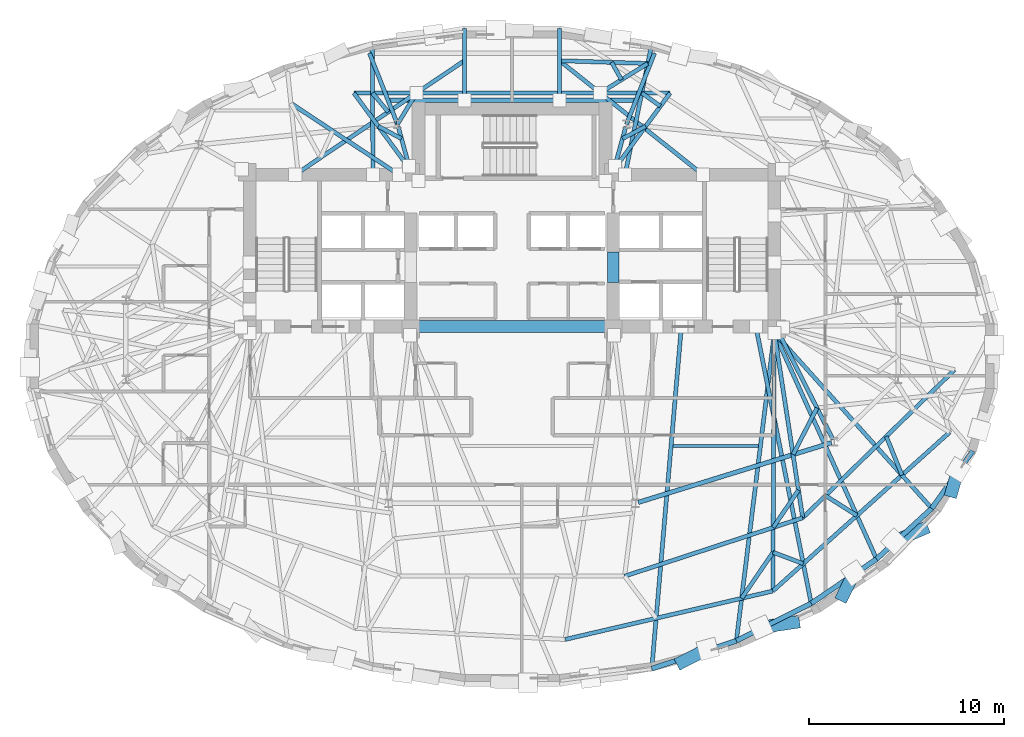
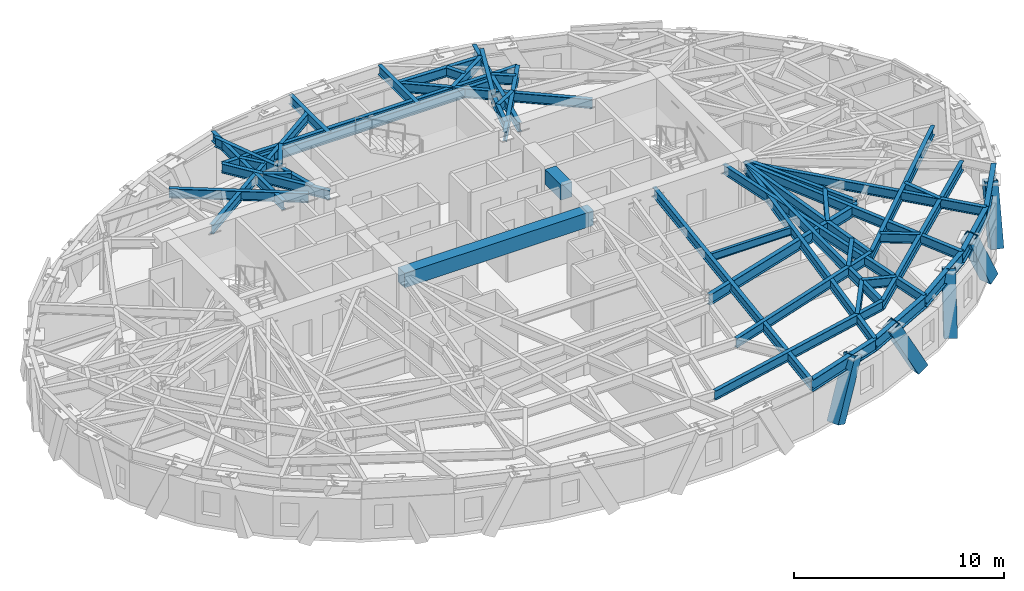
# One storey, part 3 of 14: 50 beams, 5 members.
"""IFC4 building model written with IfcOpenShell, lengths in metres."""

from ifc_helpers import new_model, si_unit, direction, frame, origin, origin_2d, place, context, subcontext, project, spatial, rectangle, hollow_rectangle, i_section, extrude, material, material_profile, profile_set, type_object, element, save


model = new_model("IFC4")

# Units and contexts
model_context = context("Model", 3, precision=1e-05, world=origin(), true_north=direction((0.0, 1.0)))
body_context = subcontext(model_context, "Body", "Model", "MODEL_VIEW")
ifc_project = project(units=[si_unit("LENGTHUNIT", "METRE"), si_unit("AREAUNIT", "SQUARE_METRE"), si_unit("VOLUMEUNIT", "CUBIC_METRE"), si_unit("PLANEANGLEUNIT", "RADIAN"), si_unit("MASSUNIT", "GRAM", prefix="KILO")], contexts=[model_context])

# Site, building, storey
site_placement = place(None, origin())
site = spatial("IfcSite", under=ifc_project, at=site_placement, CompositionType="ELEMENT")
building_placement = place(site_placement, origin())
building = spatial("IfcBuilding", under=site, at=building_placement, Name="Keldmark Tower", CompositionType="ELEMENT")
storey_placement = place(building_placement, frame((0.0, 0.0, 169.39990234375)))
storey = spatial("IfcBuildingStorey", under=building, at=storey_placement, Name="L46", CompositionType="ELEMENT", Elevation=169.39990234375)

# Beams
ifc_material_1 = material(Name="Steel ASTM A992 Grade 50", Category="steel")
ifc_material_profile_1 = material_profile(ifc_material_1, i_section(OverallWidth=0.153076171875, OverallDepth=0.455078125, WebThickness=0.008056640625, FlangeThickness=0.01318359375, at=origin_2d()), Name="W18X40")
ifc_profile_set_1 = profile_set([ifc_material_profile_1], Name="Steel ASTM A992 Grade 50")
beam_type_1 = type_object("IfcBeamType", Name="Composite Floor Joist W18X40", PredefinedType="JOIST", material=ifc_profile_set_1)
beam_1_placement = place(storey_placement, frame((8.26611328125, -4.60009765625, 2.79248046875), z_axis=(1.0, 0.0, 0.0), x_axis=(0.0, 1.0, 0.0)))
element("IfcBeam", 1, at=beam_1_placement, inside=storey, type_object=beam_type_1, Name="L46 Composite Floor Joist J04", PredefinedType="JOIST", context=body_context, shape_type="SweptSolid", body=[
    extrude(i_section(OverallWidth=0.153076171875, OverallDepth=0.455078125, WebThickness=0.008056640625, FlangeThickness=0.01318359375, at=origin_2d()), origin(), (0.0, 0.0, 1.0), 4.396484375),
])
ifc_material_2 = material(Name="Concrete C50/60", Category="concrete")
ifc_material_profile_2 = material_profile(ifc_material_2, rectangle(XDim=0.60009765625, YDim=0.85009765625, at=origin_2d()), Name="RCB600X850")
ifc_profile_set_2 = profile_set([ifc_material_profile_2], Name="Concrete C50/60")
beam_type_2 = type_object("IfcBeamType", Name="Core Coupling Beam RCB600X850", PredefinedType="USERDEFINED", material=ifc_profile_set_2)
beam_2_placement = place(storey_placement, frame((5.199951171875, 3.800048828125, 2.59521484375), z_axis=(0.0, 1.0, 0.0), x_axis=(-1.0, 0.0, 0.0)))
element("IfcBeam", 2, at=beam_2_placement, inside=storey, type_object=beam_type_2, Name="L46 East Core Coupling Beam", ObjectType="COUPLING BEAM", PredefinedType="USERDEFINED", context=body_context, shape_type="SweptSolid", body=[
    extrude(rectangle(XDim=0.60009765625, YDim=0.85009765625, at=origin_2d()), origin(), (0.0, 0.0, 1.0), 1.550048828125),
])
beam_3_placement = place(storey_placement, frame((-5.199951171875, 1.52490234375, 2.59521484375), z_axis=(1.0, 0.0, 0.0), x_axis=(0.0, 1.0, 0.0)))
element("IfcBeam", 3, at=beam_3_placement, inside=storey, type_object=beam_type_2, Name="L46 Central South Core Coupling Beam", ObjectType="COUPLING BEAM", PredefinedType="USERDEFINED", context=body_context, shape_type="SweptSolid", body=[
    extrude(rectangle(XDim=0.60009765625, YDim=0.85009765625, at=origin_2d()), origin(), (0.0, 0.0, 1.0), 10.39990234375),
])

# Members
ifc_material_3 = material(Name="Steel ASTM A572 Grade 50", Category="steel")
ifc_material_profile_3 = material_profile(ifc_material_3, hollow_rectangle(XDim=0.64990234375, YDim=0.64990234375, WallThickness=0.0400390625, at=origin_2d()), Name="BOX650X650X40")
ifc_profile_set_3 = profile_set([ifc_material_profile_3], Name="Steel ASTM A572 Grade 50")
member_type = type_object("IfcMemberType", Name="Diagrid Zone 3 Brace BOX650X650X40", PredefinedType="BRACE", material=ifc_profile_set_3)
member_1_placement = place(storey_placement, frame((8.7333984375, -15.703125, -0.260009765625), z_axis=(0.379419536926, 0.191807554329, 0.905124674894), x_axis=(-0.451156655293, 0.892444772737, 0.0)))
element("IfcMember", 4, at=member_1_placement, inside=storey, type_object=member_type, Name="L46 Perimeter Diagrid Brace 13B", PredefinedType="BRACE", context=body_context, shape_type="SweptSolid", body=[
    extrude(hollow_rectangle(XDim=0.64990234375, YDim=0.64990234375, WallThickness=0.0400390625, at=origin_2d()), origin(), (0.0, 0.0, 1.0), 3.491455078125),
])
member_2_placement = place(storey_placement, frame((14.484619140625, -13.6708984375, -0.260009765625), z_axis=(-0.474323201213, -0.069629778108, 0.877592841124), x_axis=(0.145241555649, -0.989396225237, 0.0)))
element("IfcMember", 5, at=member_2_placement, inside=storey, type_object=member_type, Name="L46 Perimeter Diagrid Brace 14A", PredefinedType="BRACE", context=body_context, shape_type="SweptSolid", body=[
    extrude(hollow_rectangle(XDim=0.64990234375, YDim=0.64990234375, WallThickness=0.0400390625, at=origin_2d()), origin(), (0.0, 0.0, 1.0), 3.600830078125),
])
member_3_placement = place(storey_placement, frame((16.99853515625, -12.286376953125, -0.260009765625), z_axis=(0.166669328667, 0.338989677491, 0.925908922862), x_axis=(-0.897399135533, 0.441219663598, 0.0)))
element("IfcMember", 6, at=member_3_placement, inside=storey, type_object=member_type, Name="L46 Perimeter Diagrid Brace 14B", PredefinedType="BRACE", context=body_context, shape_type="SweptSolid", body=[
    extrude(hollow_rectangle(XDim=0.64990234375, YDim=0.64990234375, WallThickness=0.0400390625, at=origin_2d()), origin(), (0.0, 0.0, 1.0), 3.4130859375),
])
member_4_placement = place(storey_placement, frame((21.0947265625, -8.873291015625, -0.260009765625), z_axis=(-0.415221725478, -0.179881188854, 0.891758754702), x_axis=(0.397517710942, -0.917594501666, 0.0)))
element("IfcMember", 7, at=member_4_placement, inside=storey, type_object=member_type, Name="L46 Perimeter Diagrid Brace 15A", PredefinedType="BRACE", context=body_context, shape_type="SweptSolid", body=[
    extrude(hollow_rectangle(XDim=0.64990234375, YDim=0.64990234375, WallThickness=0.0400390625, at=origin_2d()), origin(), (0.0, 0.0, 1.0), 3.543701171875),
])
member_5_placement = place(storey_placement, frame((22.590576171875, -6.929931640625, -0.260009765625), z_axis=(0.095126967393, 0.329860559703, 0.939224611702), x_axis=(-0.960843072327, 0.277093107748, 0.0)))
element("IfcMember", 8, at=member_5_placement, inside=storey, type_object=member_type, Name="L46 Perimeter Diagrid Brace 15B", PredefinedType="BRACE", context=body_context, shape_type="SweptSolid", body=[
    extrude(hollow_rectangle(XDim=0.64990234375, YDim=0.64990234375, WallThickness=0.0400390625, at=origin_2d()), origin(), (0.0, 0.0, 1.0), 3.36474609375),
])

# Beams
ifc_material_4 = material(Name="Steel ASTM A992 Grade 50", Category="steel")
ifc_material_profile_4 = material_profile(ifc_material_4, i_section(OverallWidth=0.22900390625, OverallDepth=0.612060546875, WebThickness=0.011962890625, FlangeThickness=0.01953125, at=origin_2d()), Name="W24X84")
ifc_profile_set_4 = profile_set([ifc_material_profile_4], Name="Steel ASTM A992 Grade 50")
beam_type_3 = type_object("IfcBeamType", Name="Primary Floor Girder W24X84", PredefinedType="BEAM", material=ifc_profile_set_4)
beam_4_placement = place(storey_placement, frame((6.485107421875, -7.5048828125, 2.714111328125), z_axis=(0.955494563145, 0.295008711398, 0.0), x_axis=(-0.295008711398, 0.955494563145, 0.0)))
element("IfcBeam", 9, at=beam_4_placement, inside=storey, type_object=beam_type_3, Name="L46 Floor Ring Girder FG-R10", PredefinedType="BEAM", context=body_context, shape_type="SweptSolid", body=[
    extrude(i_section(OverallWidth=0.22900390625, OverallDepth=0.612060546875, WebThickness=0.011962890625, FlangeThickness=0.01953125, at=origin_2d()), origin(), (0.0, 0.0, 1.0), 10.39013671875),
])
ifc_material_5 = material(Name="Steel ASTM A992 Grade 50", Category="steel")
ifc_material_profile_5 = material_profile(ifc_material_5, i_section(OverallWidth=0.2099609375, OverallDepth=0.537109375, WebThickness=0.010986328125, FlangeThickness=0.017333984375, at=origin_2d()), Name="W21X68")
ifc_profile_set_5 = profile_set([ifc_material_profile_5], Name="Steel ASTM A992 Grade 50")
beam_type_4 = type_object("IfcBeamType", Name="Radial Tie Girder W21X68", PredefinedType="BEAM", material=ifc_profile_set_5)
for number, where, z_axis, x_axis, name in (
    (10, (5.843017578125, 11.7802734375, 2.751708984375), (-0.265992411, -0.963975122755, 0.0), (0.963975122755, -0.265992411, 0.0), "L46 Floor Radial Girder FG-C03"),
    (11, (-5.843017578125, 11.7802734375, 2.751708984375), (0.265992411, -0.963975122755, 0.0), (0.963975122755, 0.265992411, 0.0), "L46 Floor Radial Girder FG-C04"),
):
    element("IfcBeam", number, at=place(storey_placement, frame(where, z_axis=z_axis, x_axis=x_axis)), inside=storey, type_object=beam_type_4, Name=name, PredefinedType="BEAM", context=body_context, shape_type="SweptSolid", body=[
        extrude(i_section(OverallWidth=0.2099609375, OverallDepth=0.537109375, WebThickness=0.010986328125, FlangeThickness=0.017333984375, at=origin_2d()), origin(), (0.0, 0.0, 1.0), 2.09716796875),
    ])
beam_5_placement = place(storey_placement, frame((16.4833984375, -4.273681640625, 2.751708984375), z_axis=(-0.453036691775, 0.891491870914, 0.0), x_axis=(-0.891491870914, -0.453036691775, 0.0)))
element("IfcBeam", 12, at=beam_5_placement, inside=storey, type_object=beam_type_4, Name="L46 Floor Radial Girder FG-C11", PredefinedType="BEAM", context=body_context, shape_type="SweptSolid", body=[
    extrude(i_section(OverallWidth=0.2099609375, OverallDepth=0.537109375, WebThickness=0.010986328125, FlangeThickness=0.017333984375, at=origin_2d()), origin(), (0.0, 0.0, 1.0), 6.044189453125),
])
beam_6_placement = place(storey_placement, frame((5.675537109375, 11.173828125, 2.751708984375), z_axis=(0.881085019186, 0.472957914582, 0.0), x_axis=(-0.472957914582, 0.881085019186, 0.0)))
element("IfcBeam", 13, at=beam_6_placement, inside=storey, type_object=beam_type_4, Name="L46 Framing Pin Header PH-001", PredefinedType="BEAM", context=body_context, shape_type="SweptSolid", body=[
    extrude(i_section(OverallWidth=0.2099609375, OverallDepth=0.537109375, WebThickness=0.010986328125, FlangeThickness=0.017333984375, at=origin_2d()), origin(), (0.0, 0.0, 1.0), 1.351806640625),
])
beam_7_placement = place(storey_placement, frame((4.800048828125, 9.0, 2.751708984375), z_axis=(0.592055674241, 0.805897064518, 0.0), x_axis=(-0.805897064518, 0.592055674241, 0.0)))
element("IfcBeam", 14, at=beam_7_placement, inside=storey, type_object=beam_type_4, Name="L46 Sub-Ring Step Girder STP1-M02", PredefinedType="BEAM", context=body_context, shape_type="SweptSolid", body=[
    extrude(i_section(OverallWidth=0.2099609375, OverallDepth=0.537109375, WebThickness=0.010986328125, FlangeThickness=0.017333984375, at=origin_2d()), origin(), (0.0, 0.0, 1.0), 5.611328125),
])
beam_8_placement = place(storey_placement, frame((-5.675537109375, 11.173828125, 2.751708984375), z_axis=(-0.881085019186, 0.472957914582, 0.0), x_axis=(-0.472957914582, -0.881085019186, 0.0)))
element("IfcBeam", 15, at=beam_8_placement, inside=storey, type_object=beam_type_4, Name="L46 Framing Pin Header PH-002", PredefinedType="BEAM", context=body_context, shape_type="SweptSolid", body=[
    extrude(i_section(OverallWidth=0.2099609375, OverallDepth=0.537109375, WebThickness=0.010986328125, FlangeThickness=0.017333984375, at=origin_2d()), origin(), (0.0, 0.0, 1.0), 1.351806640625),
])
beam_9_placement = place(storey_placement, frame((-4.800048828125, 9.0, 2.751708984375), z_axis=(-0.592055674241, 0.805897064518, 0.0), x_axis=(-0.805897064518, -0.592055674241, 0.0)))
element("IfcBeam", 16, at=beam_9_placement, inside=storey, type_object=beam_type_4, Name="L46 Sub-Ring Step Girder STP1-M05", PredefinedType="BEAM", context=body_context, shape_type="SweptSolid", body=[
    extrude(i_section(OverallWidth=0.2099609375, OverallDepth=0.537109375, WebThickness=0.010986328125, FlangeThickness=0.017333984375, at=origin_2d()), origin(), (0.0, 0.0, 1.0), 5.611328125),
])
beam_10_placement = place(storey_placement, frame((15.661865234375, -2.6572265625, 2.751708984375), z_axis=(-0.456767820364, -0.889585947663, 0.0), x_axis=(0.889585947663, -0.456767820364, 0.0)))
element("IfcBeam", 17, at=beam_10_placement, inside=storey, type_object=beam_type_4, Name="L46 Framing Pin Header PH-007", PredefinedType="BEAM", context=body_context, shape_type="SweptSolid", body=[
    extrude(i_section(OverallWidth=0.2099609375, OverallDepth=0.537109375, WebThickness=0.010986328125, FlangeThickness=0.017333984375, at=origin_2d()), origin(), (0.0, 0.0, 1.0), 2.691162109375),
])
beam_11_placement = place(storey_placement, frame((13.47509765625, 1.199951171875, 2.751708984375), z_axis=(0.151390881623, -0.988473975865, 0.0), x_axis=(0.988473975865, 0.151390881623, 0.0)))
element("IfcBeam", 18, at=beam_11_placement, inside=storey, type_object=beam_type_4, Name="L46 Sub-Ring Step Girder STP1-M11", PredefinedType="BEAM", context=body_context, shape_type="SweptSolid", body=[
    extrude(i_section(OverallWidth=0.2099609375, OverallDepth=0.537109375, WebThickness=0.010986328125, FlangeThickness=0.017333984375, at=origin_2d()), origin(), (0.0, 0.0, 1.0), 9.60986328125),
])
beam_12_placement = place(storey_placement, frame((8.122314453125, 13.522216796875, 2.751708984375), z_axis=(-1.0, 0.0, 0.0), x_axis=(0.0, -1.0, 0.0)))
element("IfcBeam", 19, at=beam_12_placement, inside=storey, type_object=beam_type_4, Name="L46 Perimeter Collector Ring Beam CRG1-M02", PredefinedType="BEAM", context=body_context, shape_type="SweptSolid", body=[
    extrude(i_section(OverallWidth=0.2099609375, OverallDepth=0.537109375, WebThickness=0.010986328125, FlangeThickness=0.017333984375, at=origin_2d()), origin(), (0.0, 0.0, 1.0), 16.24462890625),
])
beam_13_placement = place(storey_placement, frame((5.782958984375, -11.2958984375, 2.751708984375), z_axis=(0.95029660708, 0.31134604313, 0.0), x_axis=(-0.31134604313, 0.95029660708, 0.0)))
element("IfcBeam", 20, at=beam_13_placement, inside=storey, type_object=beam_type_4, Name="L46 Perimeter Collector Ring Beam CRG1-M10", PredefinedType="BEAM", context=body_context, shape_type="SweptSolid", body=[
    extrude(i_section(OverallWidth=0.2099609375, OverallDepth=0.537109375, WebThickness=0.010986328125, FlangeThickness=0.017333984375, at=origin_2d()), origin(), (0.0, 0.0, 1.0), 9.62548828125),
])
beam_14_placement = place(storey_placement, frame((14.929931640625, -8.299072265625, 2.751708984375), z_axis=(0.716021974504, 0.698077740677, 0.0), x_axis=(-0.698077740677, 0.716021974504, 0.0)))
element("IfcBeam", 21, at=beam_14_placement, inside=storey, type_object=beam_type_4, Name="L46 Perimeter Collector Ring Beam CRG1-M11", PredefinedType="BEAM", context=body_context, shape_type="SweptSolid", body=[
    extrude(i_section(OverallWidth=0.2099609375, OverallDepth=0.537109375, WebThickness=0.010986328125, FlangeThickness=0.017333984375, at=origin_2d()), origin(), (0.0, 0.0, 1.0), 10.89794921875),
])
beam_15_placement = place(storey_placement, frame((14.7119140625, -6.8740234375, 2.751708984375), z_axis=(-0.559382404911, -0.828909720703, 0.0), x_axis=(0.828909720703, -0.559382404911, 0.0)))
element("IfcBeam", 22, at=beam_15_placement, inside=storey, type_object=beam_type_4, Name="L46 Framing Pin Header PH-014", PredefinedType="BEAM", context=body_context, shape_type="SweptSolid", body=[
    extrude(i_section(OverallWidth=0.2099609375, OverallDepth=0.537109375, WebThickness=0.010986328125, FlangeThickness=0.017333984375, at=origin_2d()), origin(), (0.0, 0.0, 1.0), 2.31787109375),
])
beam_16_placement = place(storey_placement, frame((13.47509765625, 1.199951171875, 2.751708984375), z_axis=(-0.005984718984, -0.999982091409, 0.0), x_axis=(0.999982091409, -0.005984718984, 0.0)))
element("IfcBeam", 23, at=beam_16_placement, inside=storey, type_object=beam_type_4, Name="L46 Sub-Ring Step Girder STP2-M11", PredefinedType="BEAM", context=body_context, shape_type="SweptSolid", body=[
    extrude(i_section(OverallWidth=0.2099609375, OverallDepth=0.537109375, WebThickness=0.010986328125, FlangeThickness=0.017333984375, at=origin_2d()), origin(), (0.0, 0.0, 1.0), 13.258056640625),
])
beam_17_placement = place(storey_placement, frame((2.7275390625, -14.5458984375, 2.751708984375), z_axis=(0.973865698413, 0.227124638591, 0.0), x_axis=(-0.227124638591, 0.973865698413, 0.0)))
element("IfcBeam", 24, at=beam_17_placement, inside=storey, type_object=beam_type_4, Name="L46 Perimeter Collector Ring Beam CRG2-M10", PredefinedType="BEAM", context=body_context, shape_type="SweptSolid", body=[
    extrude(i_section(OverallWidth=0.2099609375, OverallDepth=0.537109375, WebThickness=0.010986328125, FlangeThickness=0.017333984375, at=origin_2d()), origin(), (0.0, 0.0, 1.0), 10.95458984375),
])
beam_18_placement = place(storey_placement, frame((13.395751953125, -12.057861328125, 2.751708984375), z_axis=(0.744036121862, 0.668139393663, 0.0), x_axis=(-0.668139393663, 0.744036121862, 0.0)))
element("IfcBeam", 25, at=beam_18_placement, inside=storey, type_object=beam_type_4, Name="L46 Perimeter Collector Ring Beam CRG2-M11", PredefinedType="BEAM", context=body_context, shape_type="SweptSolid", body=[
    extrude(i_section(OverallWidth=0.2099609375, OverallDepth=0.537109375, WebThickness=0.010986328125, FlangeThickness=0.017333984375, at=origin_2d()), origin(), (0.0, 0.0, 1.0), 12.197998046875),
])
beam_19_placement = place(storey_placement, frame((7.6240234375, 12.843994140625, 2.751708984375), z_axis=(-0.816656842427, 0.577123558449, 0.0), x_axis=(-0.577123558449, -0.816656842427, 0.0)))
element("IfcBeam", 26, at=beam_19_placement, inside=storey, type_object=beam_type_4, Name="L46 Framing Pin Header PH-020", PredefinedType="BEAM", context=body_context, shape_type="SweptSolid", body=[
    extrude(i_section(OverallWidth=0.2099609375, OverallDepth=0.537109375, WebThickness=0.010986328125, FlangeThickness=0.017333984375, at=origin_2d()), origin(), (0.0, 0.0, 1.0), 1.17529296875),
])
beam_20_placement = place(storey_placement, frame((5.80712890625, 9.324951171875, 2.751708984375), z_axis=(0.200079305348, 0.979779705634, 0.0), x_axis=(-0.979779705634, 0.200079305348, 0.0)))
element("IfcBeam", 27, at=beam_20_placement, inside=storey, type_object=beam_type_4, Name="L46 Perimeter Radial Tie Girder RT-07", PredefinedType="BEAM", context=body_context, shape_type="SweptSolid", body=[
    extrude(i_section(OverallWidth=0.2099609375, OverallDepth=0.537109375, WebThickness=0.010986328125, FlangeThickness=0.017333984375, at=origin_2d()), origin(), (0.0, 0.0, 1.0), 6.8564453125),
])
beam_21_placement = place(storey_placement, frame((6.97314453125, 15.03515625, 2.751708984375), z_axis=(-0.850417091478, -0.526109086143, 0.0), x_axis=(0.526109086143, -0.850417091478, 0.0)))
element("IfcBeam", 28, at=beam_21_placement, inside=storey, type_object=beam_type_4, Name="L46 Framing Pin Header PH-021", PredefinedType="BEAM", context=body_context, shape_type="SweptSolid", body=[
    extrude(i_section(OverallWidth=0.2099609375, OverallDepth=0.537109375, WebThickness=0.010986328125, FlangeThickness=0.017333984375, at=origin_2d()), origin(), (0.0, 0.0, 1.0), 2.875732421875),
])
beam_22_placement = place(storey_placement, frame((9.8037109375, 9.324951171875, 2.751708984375), z_axis=(-0.782580927815, 0.622548866692, 0.0), x_axis=(-0.622548866692, -0.782580927815, 0.0)))
element("IfcBeam", 29, at=beam_22_placement, inside=storey, type_object=beam_type_4, Name="L46 Intermediate Radial Step Girder RT-08M", PredefinedType="BEAM", context=body_context, shape_type="SweptSolid", body=[
    extrude(i_section(OverallWidth=0.2099609375, OverallDepth=0.537109375, WebThickness=0.010986328125, FlangeThickness=0.017333984375, at=origin_2d()), origin(), (0.0, 0.0, 1.0), 9.402099609375),
])
beam_23_placement = place(storey_placement, frame((6.97314453125, 15.03515625, 2.751708984375), z_axis=(-0.999501077275, 0.031584751471, 0.0), x_axis=(-0.031584751471, -0.999501077275, 0.0)))
element("IfcBeam", 30, at=beam_23_placement, inside=storey, type_object=beam_type_4, Name="L46 Local Collector Chord RT-08C", PredefinedType="BEAM", context=body_context, shape_type="SweptSolid", body=[
    extrude(i_section(OverallWidth=0.2099609375, OverallDepth=0.537109375, WebThickness=0.010986328125, FlangeThickness=0.017333984375, at=origin_2d()), origin(), (0.0, 0.0, 1.0), 4.529541015625),
])
beam_24_placement = place(storey_placement, frame((5.6279296875, 14.203125, 2.751708984375), z_axis=(-0.496932886551, 0.867788975653, 0.0), x_axis=(-0.867788975653, -0.496932886551, 0.0)))
element("IfcBeam", 31, at=beam_24_placement, inside=storey, type_object=beam_type_4, Name="L46 Framing Pin Header PH-022", PredefinedType="BEAM", context=body_context, shape_type="SweptSolid", body=[
    extrude(i_section(OverallWidth=0.2099609375, OverallDepth=0.537109375, WebThickness=0.010986328125, FlangeThickness=0.017333984375, at=origin_2d()), origin(), (0.0, 0.0, 1.0), 1.0263671875),
])
beam_25_placement = place(storey_placement, frame((-5.880126953125, 11.915283203125, 2.751708984375), z_axis=(0.519052684094, 0.854742248362, 0.0), x_axis=(-0.854742248362, 0.519052684094, 0.0)))
element("IfcBeam", 32, at=beam_25_placement, inside=storey, type_object=beam_type_4, Name="L46 Framing Pin Header PH-023", PredefinedType="BEAM", context=body_context, shape_type="SweptSolid", body=[
    extrude(i_section(OverallWidth=0.2099609375, OverallDepth=0.537109375, WebThickness=0.010986328125, FlangeThickness=0.017333984375, at=origin_2d()), origin(), (0.0, 0.0, 1.0), 1.880126953125),
])
beam_26_placement = place(storey_placement, frame((-11.1357421875, 9.324951171875, 2.751708984375), z_axis=(0.829398807954, 0.558656976476, 0.0), x_axis=(-0.558656976476, 0.829398807954, 0.0)))
element("IfcBeam", 33, at=beam_26_placement, inside=storey, type_object=beam_type_4, Name="L46 Intermediate Radial Step Girder RT-09M", PredefinedType="BEAM", context=body_context, shape_type="SweptSolid", body=[
    extrude(i_section(OverallWidth=0.2099609375, OverallDepth=0.537109375, WebThickness=0.010986328125, FlangeThickness=0.017333984375, at=origin_2d()), origin(), (0.0, 0.0, 1.0), 10.477294921875),
])
beam_27_placement = place(storey_placement, frame((-6.356201171875, 12.544189453125, 2.751708984375), z_axis=(-0.636846630741, 0.770990511559, 0.0), x_axis=(-0.770990511559, -0.636846630741, 0.0)))
element("IfcBeam", 34, at=beam_27_placement, inside=storey, type_object=beam_type_4, Name="L46 Framing Pin Header PH-024", PredefinedType="BEAM", context=body_context, shape_type="SweptSolid", body=[
    extrude(i_section(OverallWidth=0.2099609375, OverallDepth=0.537109375, WebThickness=0.010986328125, FlangeThickness=0.017333984375, at=origin_2d()), origin(), (0.0, 0.0, 1.0), 1.2685546875),
])
beam_28_placement = place(storey_placement, frame((-7.139404296875, 9.324951171875, 2.751708984375), z_axis=(-0.005887381611, 0.999982669219, 0.0), x_axis=(-0.999982669219, -0.005887381611, 0.0)))
element("IfcBeam", 35, at=beam_28_placement, inside=storey, type_object=beam_type_4, Name="L46 Perimeter Radial Tie Girder RT-10", PredefinedType="BEAM", context=body_context, shape_type="SweptSolid", body=[
    extrude(i_section(OverallWidth=0.2099609375, OverallDepth=0.537109375, WebThickness=0.010986328125, FlangeThickness=0.017333984375, at=origin_2d()), origin(), (0.0, 0.0, 1.0), 6.7177734375),
])
beam_29_placement = place(storey_placement, frame((-5.80712890625, 9.324951171875, 2.751708984375), z_axis=(-0.834336225199, 0.551255896405, 0.0), x_axis=(-0.551255896405, -0.834336225199, 0.0)))
element("IfcBeam", 36, at=beam_29_placement, inside=storey, type_object=beam_type_4, Name="L46 Intermediate Radial Step Girder RT-11M", PredefinedType="BEAM", context=body_context, shape_type="SweptSolid", body=[
    extrude(i_section(OverallWidth=0.2099609375, OverallDepth=0.537109375, WebThickness=0.010986328125, FlangeThickness=0.017333984375, at=origin_2d()), origin(), (0.0, 0.0, 1.0), 6.650390625),
])
beam_30_placement = place(storey_placement, frame((8.699951171875, 1.52490234375, 2.751708984375), z_axis=(-0.086256797768, -0.99627293692, 0.0), x_axis=(0.99627293692, -0.086256797768, 0.0)))
element("IfcBeam", 37, at=beam_30_placement, inside=storey, type_object=beam_type_4, Name="L46 Perimeter Radial Tie Girder RT-26", PredefinedType="BEAM", context=body_context, shape_type="SweptSolid", body=[
    extrude(i_section(OverallWidth=0.2099609375, OverallDepth=0.537109375, WebThickness=0.010986328125, FlangeThickness=0.017333984375, at=origin_2d()), origin(), (0.0, 0.0, 1.0), 17.63330078125),
])
beam_31_placement = place(storey_placement, frame((13.40771484375, -10.069091796875, 2.751708984375), z_axis=(-0.564212799812, -0.825629406288, 0.0), x_axis=(0.825629406288, -0.564212799812, 0.0)))
element("IfcBeam", 38, at=beam_31_placement, inside=storey, type_object=beam_type_4, Name="L46 Framing Pin Header PH-039", PredefinedType="BEAM", context=body_context, shape_type="SweptSolid", body=[
    extrude(i_section(OverallWidth=0.2099609375, OverallDepth=0.537109375, WebThickness=0.010986328125, FlangeThickness=0.017333984375, at=origin_2d()), origin(), (0.0, 0.0, 1.0), 2.861572265625),
])
beam_32_placement = place(storey_placement, frame((13.47509765625, 1.199951171875, 2.751708984375), z_axis=(-0.122461922072, -0.992473212557, 0.0), x_axis=(0.992473212557, -0.122461922072, 0.0)))
element("IfcBeam", 39, at=beam_32_placement, inside=storey, type_object=beam_type_4, Name="L46 Perimeter Radial Tie Girder RT-27", PredefinedType="BEAM", context=body_context, shape_type="SweptSolid", body=[
    extrude(i_section(OverallWidth=0.2099609375, OverallDepth=0.537109375, WebThickness=0.010986328125, FlangeThickness=0.017333984375, at=origin_2d()), origin(), (0.0, 0.0, 1.0), 15.934814453125),
])
beam_33_placement = place(storey_placement, frame((13.40771484375, -10.069091796875, 2.751708984375), z_axis=(0.93575305523, -0.352655950791, 0.0), x_axis=(0.352655950791, 0.93575305523, 0.0)))
element("IfcBeam", 40, at=beam_33_placement, inside=storey, type_object=beam_type_4, Name="L46 Framing Pin Header PH-040", PredefinedType="BEAM", context=body_context, shape_type="SweptSolid", body=[
    extrude(i_section(OverallWidth=0.2099609375, OverallDepth=0.537109375, WebThickness=0.010986328125, FlangeThickness=0.017333984375, at=origin_2d()), origin(), (0.0, 0.0, 1.0), 1.657958984375),
])
beam_34_placement = place(storey_placement, frame((12.52490234375, 1.52490234375, 2.751708984375), z_axis=(0.19600927846, -0.980602040972, 0.0), x_axis=(0.980602040972, 0.19600927846, 0.0)))
element("IfcBeam", 41, at=beam_34_placement, inside=storey, type_object=beam_type_4, Name="L46 Perimeter Radial Tie Girder RT-28", PredefinedType="BEAM", context=body_context, shape_type="SweptSolid", body=[
    extrude(i_section(OverallWidth=0.2099609375, OverallDepth=0.537109375, WebThickness=0.010986328125, FlangeThickness=0.017333984375, at=origin_2d()), origin(), (0.0, 0.0, 1.0), 14.49951171875),
])
beam_35_placement = place(storey_placement, frame((16.1005859375, -7.15771484375, 2.751708984375), z_axis=(0.84464954956, -0.535319660042, 0.0), x_axis=(0.535319660042, 0.84464954956, 0.0)))
element("IfcBeam", 42, at=beam_35_placement, inside=storey, type_object=beam_type_4, Name="L46 Framing Pin Header PH-041", PredefinedType="BEAM", context=body_context, shape_type="SweptSolid", body=[
    extrude(i_section(OverallWidth=0.2099609375, OverallDepth=0.537109375, WebThickness=0.010986328125, FlangeThickness=0.017333984375, at=origin_2d()), origin(), (0.0, 0.0, 1.0), 1.909912109375),
])
beam_36_placement = place(storey_placement, frame((13.47509765625, 1.199951171875, 2.751708984375), z_axis=(0.411784777402, -0.911281129564, 0.0), x_axis=(0.911281129564, 0.411784777402, 0.0)))
element("IfcBeam", 43, at=beam_36_placement, inside=storey, type_object=beam_type_4, Name="L46 Perimeter Radial Tie Girder RT-29", PredefinedType="BEAM", context=body_context, shape_type="SweptSolid", body=[
    extrude(i_section(OverallWidth=0.2099609375, OverallDepth=0.537109375, WebThickness=0.010986328125, FlangeThickness=0.017333984375, at=origin_2d()), origin(), (0.0, 0.0, 1.0), 12.748291015625),
])
beam_37_placement = place(storey_placement, frame((19.2216796875, -4.11474609375, 2.751708984375), z_axis=(0.375213711428, -0.92693833169, 0.0), x_axis=(0.92693833169, 0.375213711428, 0.0)))
element("IfcBeam", 44, at=beam_37_placement, inside=storey, type_object=beam_type_4, Name="L46 Framing Pin Header PH-042", PredefinedType="BEAM", context=body_context, shape_type="SweptSolid", body=[
    extrude(i_section(OverallWidth=0.2099609375, OverallDepth=0.537109375, WebThickness=0.010986328125, FlangeThickness=0.017333984375, at=origin_2d()), origin(), (0.0, 0.0, 1.0), 2.145263671875),
])
beam_38_placement = place(storey_placement, frame((13.47509765625, 1.199951171875, 2.751708984375), z_axis=(0.66775277675, -0.744383119867, 0.0), x_axis=(0.744383119867, 0.66775277675, 0.0)))
element("IfcBeam", 45, at=beam_38_placement, inside=storey, type_object=beam_type_4, Name="L46 Perimeter Radial Tie Girder RT-30", PredefinedType="BEAM", context=body_context, shape_type="SweptSolid", body=[
    extrude(i_section(OverallWidth=0.2099609375, OverallDepth=0.537109375, WebThickness=0.010986328125, FlangeThickness=0.017333984375, at=origin_2d()), origin(), (0.0, 0.0, 1.0), 12.106689453125),
])
for number, where, z_axis, x_axis, name in (
    (46, (-5.880126953125, 11.915283203125, 2.751708984375), (-0.367016221995, 0.930214541271, 0.0), (-0.930214541271, -0.367016221995, 0.0), "L46 North Column Cantilever Girder West FG-TCN-W"),
    (47, (5.880126953125, 11.915283203125, 2.751708984375), (0.367016221995, 0.930214541271, 0.0), (-0.930214541271, 0.367016221995, 0.0), "L46 North Column Cantilever Girder East FG-TCN-E"),
):
    element("IfcBeam", number, at=place(storey_placement, frame(where, z_axis=z_axis, x_axis=x_axis)), inside=storey, type_object=beam_type_4, Name=name, PredefinedType="BEAM", context=body_context, shape_type="SweptSolid", body=[
        extrude(i_section(OverallWidth=0.2099609375, OverallDepth=0.537109375, WebThickness=0.010986328125, FlangeThickness=0.017333984375, at=origin_2d()), origin(), (0.0, 0.0, 1.0), 3.920166015625),
    ])
beam_39_placement = place(storey_placement, frame((-6.367431640625, 13.14990234375, 2.751708984375), z_axis=(1.0, 0.0, 0.0), x_axis=(0.0, 1.0, 0.0)))
element("IfcBeam", 48, at=beam_39_placement, inside=storey, type_object=beam_type_4, Name="L46 North Inner Header Girder FG-TCN-H0", PredefinedType="BEAM", context=body_context, shape_type="SweptSolid", body=[
    extrude(i_section(OverallWidth=0.2099609375, OverallDepth=0.537109375, WebThickness=0.010986328125, FlangeThickness=0.017333984375, at=origin_2d()), origin(), (0.0, 0.0, 1.0), 12.73486328125),
])
for number, where, z_axis, x_axis, name in (
    (49, (2.44580078125, 13.14990234375, 2.751708984375), (0.0, 1.0, 0.0), (-1.0, 0.0, 0.0), "L46 North Continuous Radial Girder RT-08N"),
    (50, (-2.44580078125, 13.14990234375, 2.751708984375), (0.0, 1.0, 0.0), (-1.0, 0.0, 0.0), "L46 North Continuous Radial Girder RT-09N"),
):
    element("IfcBeam", number, at=place(storey_placement, frame(where, z_axis=z_axis, x_axis=x_axis)), inside=storey, type_object=beam_type_4, Name=name, PredefinedType="BEAM", context=body_context, shape_type="SweptSolid", body=[
        extrude(i_section(OverallWidth=0.2099609375, OverallDepth=0.537109375, WebThickness=0.010986328125, FlangeThickness=0.017333984375, at=origin_2d()), origin(), (0.0, 0.0, 1.0), 3.684326171875),
    ])
ifc_material_6 = material(Name="Steel ASTM A992 Grade 50", Category="steel")
ifc_material_profile_6 = material_profile(ifc_material_6, i_section(OverallWidth=0.256103515625, OverallDepth=0.693115234375, WebThickness=0.014404296875, FlangeThickness=0.023681640625, at=origin_2d()), Name="W27X114")
ifc_profile_set_6 = profile_set([ifc_material_profile_6], Name="Steel ASTM A992 Grade 50")
beam_type_5 = type_object("IfcBeamType", Name="Spandrel Ring Beam W27X114", PredefinedType="SPANDREL", material=ifc_profile_set_6)
beam_40_placement = place(storey_placement, frame((7.178955078125, -16.042724609375, 2.673583984375), z_axis=(0.950019987977, 0.312189081237, 0.0), x_axis=(-0.312189081237, 0.950019987977, 0.0)))
element("IfcBeam", 51, at=beam_40_placement, inside=storey, type_object=beam_type_5, Name="L46 Perimeter Spandrel Ring Beam SRB-26", PredefinedType="SPANDREL", context=body_context, shape_type="SweptSolid", body=[
    extrude(i_section(OverallWidth=0.256103515625, OverallDepth=0.693115234375, WebThickness=0.014404296875, FlangeThickness=0.023681640625, at=origin_2d()), origin(), (0.0, 0.0, 1.0), 4.5732421875),
])
beam_41_placement = place(storey_placement, frame((11.523681640625, -14.614990234375, 2.673583984375), z_axis=(0.894427191, 0.4472135955, 0.0), x_axis=(-0.4472135955, 0.894427191, 0.0)))
element("IfcBeam", 52, at=beam_41_placement, inside=storey, type_object=beam_type_5, Name="L46 Perimeter Spandrel Ring Beam SRB-27", PredefinedType="SPANDREL", context=body_context, shape_type="SweptSolid", body=[
    extrude(i_section(OverallWidth=0.256103515625, OverallDepth=0.693115234375, WebThickness=0.014404296875, FlangeThickness=0.023681640625, at=origin_2d()), origin(), (0.0, 0.0, 1.0), 4.296875),
])
beam_42_placement = place(storey_placement, frame((15.366943359375, -12.693359375, 2.673583984375), z_axis=(0.827738347215, 0.561114274056, 0.0), x_axis=(-0.561114274056, 0.827738347215, 0.0)))
element("IfcBeam", 53, at=beam_42_placement, inside=storey, type_object=beam_type_5, Name="L46 Perimeter Spandrel Ring Beam SRB-28", PredefinedType="SPANDREL", context=body_context, shape_type="SweptSolid", body=[
    extrude(i_section(OverallWidth=0.256103515625, OverallDepth=0.693115234375, WebThickness=0.014404296875, FlangeThickness=0.023681640625, at=origin_2d()), origin(), (0.0, 0.0, 1.0), 4.056396484375),
])
beam_43_placement = place(storey_placement, frame((18.724609375, -10.417236328125, 2.673583984375), z_axis=(0.736282263947, 0.676674536093, 0.0), x_axis=(-0.676674536093, 0.736282263947, 0.0)))
element("IfcBeam", 54, at=beam_43_placement, inside=storey, type_object=beam_type_5, Name="L46 Perimeter Spandrel Ring Beam SRB-29", PredefinedType="SPANDREL", context=body_context, shape_type="SweptSolid", body=[
    extrude(i_section(OverallWidth=0.256103515625, OverallDepth=0.693115234375, WebThickness=0.014404296875, FlangeThickness=0.023681640625, at=origin_2d()), origin(), (0.0, 0.0, 1.0), 3.85009765625),
])
beam_44_placement = place(storey_placement, frame((21.559326171875, -7.81201171875, 2.673583984375), z_axis=(0.581646294714, 0.813441815894, 0.0), x_axis=(-0.813441815894, 0.581646294714, 0.0)))
element("IfcBeam", 55, at=beam_44_placement, inside=storey, type_object=beam_type_5, Name="L46 Perimeter Spandrel Ring Beam SRB-30", PredefinedType="SPANDREL", context=body_context, shape_type="SweptSolid", body=[
    extrude(i_section(OverallWidth=0.256103515625, OverallDepth=0.693115234375, WebThickness=0.014404296875, FlangeThickness=0.023681640625, at=origin_2d()), origin(), (0.0, 0.0, 1.0), 3.62109375),
])

save(model, "model.ifc")
